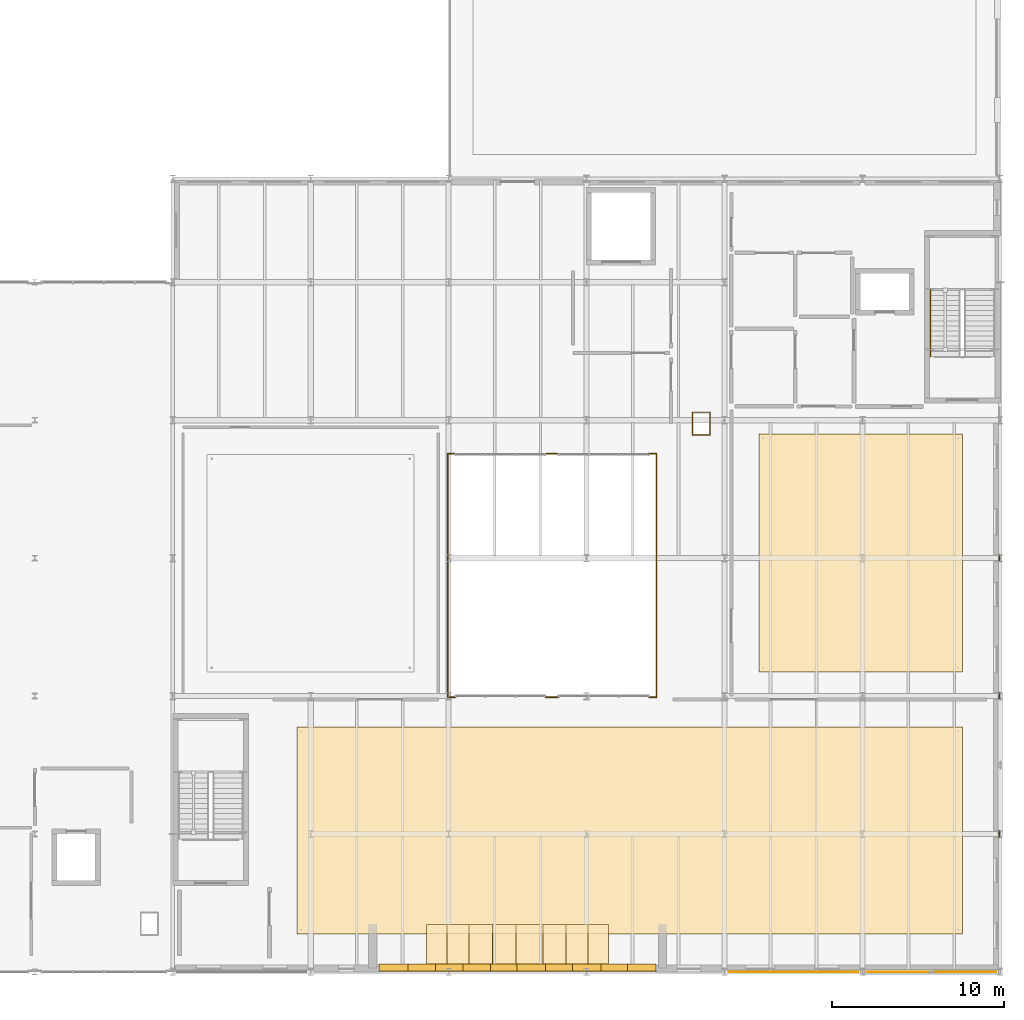
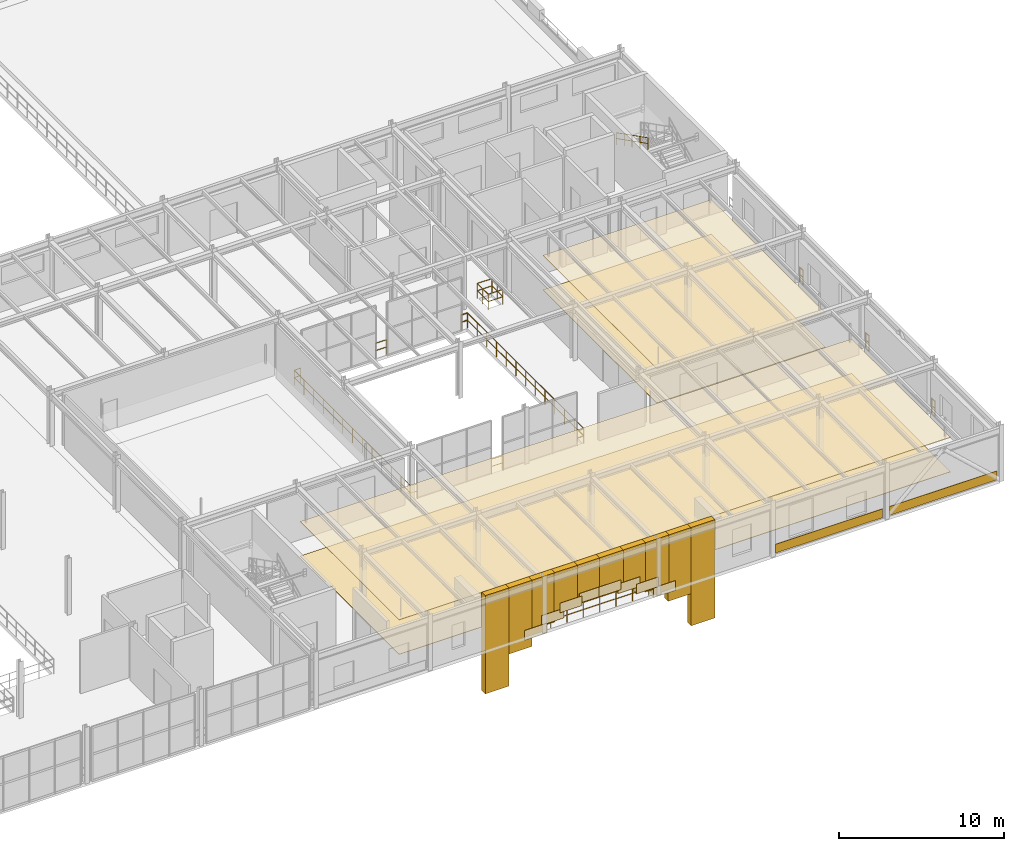
# One storey, part 65 of 67: 24 coverings, 11 railings.
"""IFC4 building model written with IfcOpenShell, lengths in metres."""

from ifc_helpers import new_model, si_unit, direction, frame, origin, origin_2d, place, context, subcontext, project, spatial, polyline, rectangle, circle, outline, extrude, material, layer, layer_set, type_object, element, save


model = new_model("IFC4")

# Units and contexts
model_context = context("Model", 3, precision=1e-05, world=origin(), true_north=direction((0.0, 1.0)))
body_context = subcontext(model_context, "Body", "Model", "MODEL_VIEW")
ifc_project = project(units=[si_unit("LENGTHUNIT", "METRE"), si_unit("AREAUNIT", "SQUARE_METRE"), si_unit("VOLUMEUNIT", "CUBIC_METRE"), si_unit("PLANEANGLEUNIT", "RADIAN"), si_unit("MASSUNIT", "GRAM", prefix="KILO")], contexts=[model_context])

# Site, building, storey
site_placement = place(None, origin())
site = spatial("IfcSite", under=ifc_project, at=site_placement, CompositionType="ELEMENT")
building_placement = place(site_placement, origin())
building = spatial("IfcBuilding", under=site, at=building_placement, Name="Sundkrona Museum", CompositionType="ELEMENT")
storey_placement = place(building_placement, frame((0.0, 0.0, 21.800048828125)))
storey = spatial("IfcBuildingStorey", under=building, at=storey_placement, Name="L04", CompositionType="ELEMENT", Elevation=21.800048828125)

# Coverings
ifc_material_1 = material(Name="Perforated Acoustic Gypsum and Mineral Wool Ceiling", Category="other")
ifc_layer_1 = layer(ifc_material_1, 0.0400390625)
ifc_layer_set_1 = layer_set([ifc_layer_1], Name="Perforated Acoustic Gypsum and Mineral Wool Ceiling")
covering_type_1 = type_object("IfcCoveringType", Name="COV-CEIL-AC", PredefinedType="CEILING", material=ifc_layer_set_1)
covering_1_placement = place(storey_placement, frame((0.0, 0.0, 2.550048828125)))
element("IfcCovering", 1, at=covering_1_placement, inside=storey, type_object=covering_type_1, Name="L04 Nordic Landscape Painting Gallery Acoustic Ceiling", PredefinedType="CEILING", context=body_context, shape_type="SweptSolid", body=[
    extrude(outline(polyline([(127.199951171875, 2.199951171875), (165.800048828125, 2.199951171875), (165.800048828125, 14.199951171875), (127.199951171875, 14.199951171875), (127.199951171875, 2.199951171875)])), origin(), (0.0, 0.0, 1.0), 0.039794921875),
])
covering_2_placement = place(storey_placement, frame((0.0, 0.0, 2.550048828125)))
element("IfcCovering", 2, at=covering_2_placement, inside=storey, type_object=covering_type_1, Name="L04 Contemporary Visual Arts Gallery Acoustic Ceiling", PredefinedType="CEILING", context=body_context, shape_type="SweptSolid", body=[
    extrude(outline(polyline([(154.0, 17.39990234375), (165.800048828125, 17.39990234375), (165.800048828125, 31.199951171875), (154.0, 31.199951171875), (154.0, 17.39990234375)])), origin(), (0.0, 0.0, 1.0), 0.039794921875),
])
ifc_material_2 = material(Name="Frost-Resistant Vitrified Stoneware Mosaic Cladding", Category="masonry")
ifc_layer_2 = layer(ifc_material_2, 0.044921875)
ifc_layer_set_2 = layer_set([ifc_layer_2], Name="Frost-Resistant Vitrified Stoneware Mosaic Cladding")
covering_type_2 = type_object("IfcCoveringType", Name="COV-CLD-MOS", PredefinedType="CLADDING", material=ifc_layer_set_2)
covering_3_placement = place(storey_placement, frame((132.800048828125, 0.239990234375, -3.251953125), z_axis=(0.0, 0.0, 1.0), x_axis=(1.0, 0.0, 0.0)))
element("IfcCovering", 3, at=covering_3_placement, inside=storey, type_object=covering_type_2, Name="South Cube Oculus Upper Limestone Spandrel 01", PredefinedType="CLADDING", context=body_context, shape_type="SweptSolid", body=[
    extrude(rectangle(XDim=1.659912109375, YDim=0.43994140625, at=origin_2d()), origin(), (0.0, 0.0, 1.0), 7.27197265625),
])
covering_4_placement = place(storey_placement, frame((134.39990234375, 0.239990234375, -0.87890625), z_axis=(0.0, 0.0, 1.0), x_axis=(1.0, 0.0, 0.0)))
element("IfcCovering", 4, at=covering_4_placement, inside=storey, type_object=covering_type_2, Name="South Cube Oculus Upper Limestone Spandrel 02", PredefinedType="CLADDING", context=body_context, shape_type="SweptSolid", body=[
    extrude(rectangle(XDim=1.659912109375, YDim=0.43994140625, at=origin_2d()), origin(), (0.0, 0.0, 1.0), 4.89892578125),
])
covering_5_placement = place(storey_placement, frame((136.0, 0.239990234375, 0.3740234375), z_axis=(0.0, 0.0, 1.0), x_axis=(1.0, 0.0, 0.0)))
element("IfcCovering", 5, at=covering_5_placement, inside=storey, type_object=covering_type_2, Name="South Cube Oculus Upper Limestone Spandrel 03", PredefinedType="CLADDING", context=body_context, shape_type="SweptSolid", body=[
    extrude(rectangle(XDim=1.659912109375, YDim=0.43994140625, at=origin_2d()), origin(), (0.0, 0.0, 1.0), 3.64599609375),
])
covering_6_placement = place(storey_placement, frame((137.60009765625, 0.239990234375, 1.09375), z_axis=(0.0, 0.0, 1.0), x_axis=(1.0, 0.0, 0.0)))
element("IfcCovering", 6, at=covering_6_placement, inside=storey, type_object=covering_type_2, Name="South Cube Oculus Upper Limestone Spandrel 04", PredefinedType="CLADDING", context=body_context, shape_type="SweptSolid", body=[
    extrude(rectangle(XDim=1.659912109375, YDim=0.43994140625, at=origin_2d()), origin(), (0.0, 0.0, 1.0), 2.926025390625),
])
for number, where, z_axis, x_axis, name in (
    (7, (139.199951171875, 0.239990234375, 1.4287109375), (0.0, 0.0, 1.0), (1.0, 0.0, 0.0), "South Cube Oculus Upper Limestone Spandrel 05"),
    (8, (140.800048828125, 0.239990234375, 1.4287109375), (0.0, 0.0, 1.0), (1.0, 0.0, 0.0), "South Cube Oculus Upper Limestone Spandrel 06"),
):
    element("IfcCovering", number, at=place(storey_placement, frame(where, z_axis=z_axis, x_axis=x_axis)), inside=storey, type_object=covering_type_2, Name=name, PredefinedType="CLADDING", context=body_context, shape_type="SweptSolid", body=[
        extrude(rectangle(XDim=1.659912109375, YDim=0.43994140625, at=origin_2d()), origin(), (0.0, 0.0, 1.0), 2.591064453125),
    ])
covering_7_placement = place(storey_placement, frame((142.39990234375, 0.239990234375, 1.09375), z_axis=(0.0, 0.0, 1.0), x_axis=(1.0, 0.0, 0.0)))
element("IfcCovering", 9, at=covering_7_placement, inside=storey, type_object=covering_type_2, Name="South Cube Oculus Upper Limestone Spandrel 07", PredefinedType="CLADDING", context=body_context, shape_type="SweptSolid", body=[
    extrude(rectangle(XDim=1.659912109375, YDim=0.43994140625, at=origin_2d()), origin(), (0.0, 0.0, 1.0), 2.926025390625),
])
covering_8_placement = place(storey_placement, frame((144.0, 0.239990234375, 0.3740234375), z_axis=(0.0, 0.0, 1.0), x_axis=(1.0, 0.0, 0.0)))
element("IfcCovering", 10, at=covering_8_placement, inside=storey, type_object=covering_type_2, Name="South Cube Oculus Upper Limestone Spandrel 08", PredefinedType="CLADDING", context=body_context, shape_type="SweptSolid", body=[
    extrude(rectangle(XDim=1.659912109375, YDim=0.43994140625, at=origin_2d()), origin(), (0.0, 0.0, 1.0), 3.64599609375),
])
covering_9_placement = place(storey_placement, frame((145.60009765625, 0.239990234375, -0.87890625), z_axis=(0.0, 0.0, 1.0), x_axis=(1.0, 0.0, 0.0)))
element("IfcCovering", 11, at=covering_9_placement, inside=storey, type_object=covering_type_2, Name="South Cube Oculus Upper Limestone Spandrel 09", PredefinedType="CLADDING", context=body_context, shape_type="SweptSolid", body=[
    extrude(rectangle(XDim=1.659912109375, YDim=0.43994140625, at=origin_2d()), origin(), (0.0, 0.0, 1.0), 4.89892578125),
])
covering_10_placement = place(storey_placement, frame((147.199951171875, 0.239990234375, -3.251953125), z_axis=(0.0, 0.0, 1.0), x_axis=(1.0, 0.0, 0.0)))
element("IfcCovering", 12, at=covering_10_placement, inside=storey, type_object=covering_type_2, Name="South Cube Oculus Upper Limestone Spandrel 10", PredefinedType="CLADDING", context=body_context, shape_type="SweptSolid", body=[
    extrude(rectangle(XDim=1.659912109375, YDim=0.43994140625, at=origin_2d()), origin(), (0.0, 0.0, 1.0), 7.27197265625),
])
for number, where, z_axis, x_axis, name in (
    (13, (144.502685546875, 1.3798828125, -0.2294921875), (0.0, 0.0, 1.0), (1.0, 0.0, 0.0), "L04 Giant Round Window Deep Circular Reveal Barrel 06"),
    (14, (143.317626953125, 1.3798828125, 0.45458984375), (0.0, 0.0, 1.0), (1.0, 0.0, 0.0), "L04 Giant Round Window Deep Circular Reveal Barrel 07"),
    (15, (142.03173828125, 1.3798828125, 0.92236328125), (0.0, 0.0, 1.0), (1.0, 0.0, 0.0), "L04 Giant Round Window Deep Circular Reveal Barrel 08"),
    (16, (140.68408203125, 1.3798828125, 1.16015625), (0.0, 0.0, 1.0), (1.0, 0.0, 0.0), "L04 Giant Round Window Deep Circular Reveal Barrel 09"),
    (17, (139.31591796875, 1.3798828125, 1.16015625), (0.0, 0.0, 1.0), (1.0, 0.0, 0.0), "L04 Giant Round Window Deep Circular Reveal Barrel 10"),
    (18, (137.96826171875, 1.3798828125, 0.92236328125), (0.0, 0.0, 1.0), (1.0, 0.0, 0.0), "L04 Giant Round Window Deep Circular Reveal Barrel 11"),
    (19, (136.682373046875, 1.3798828125, 0.45458984375), (0.0, 0.0, 1.0), (1.0, 0.0, 0.0), "L04 Giant Round Window Deep Circular Reveal Barrel 12"),
    (20, (135.497314453125, 1.3798828125, -0.2294921875), (0.0, 0.0, 1.0), (1.0, 0.0, 0.0), "L04 Giant Round Window Deep Circular Reveal Barrel 13"),
):
    element("IfcCovering", number, at=place(storey_placement, frame(where, z_axis=z_axis, x_axis=x_axis)), inside=storey, type_object=covering_type_2, Name=name, PredefinedType="CLADDING", context=body_context, shape_type="SweptSolid", body=[
        extrude(rectangle(XDim=1.550048828125, YDim=2.739990234375, at=origin_2d()), origin(), (0.0, 0.0, 1.0), 0.719970703125),
    ])
for number, where, z_axis, x_axis, name in (
    (21, (156.0, 0.0, 0.094970703125), (0.0, 0.0, 1.0), (1.0, 0.0, 0.0), "L04 Vitrified Stoneware Mosaic Spandrel 019"),
    (22, (164.0, 0.0, 0.094970703125), (0.0, 0.0, 1.0), (1.0, 0.0, 0.0), "L04 Vitrified Stoneware Mosaic Spandrel 020"),
):
    element("IfcCovering", number, at=place(storey_placement, frame(where, z_axis=z_axis, x_axis=x_axis)), inside=storey, type_object=covering_type_2, Name=name, PredefinedType="CLADDING", context=body_context, shape_type="SweptSolid", body=[
        extrude(rectangle(XDim=7.49609375, YDim=0.044921875, at=origin_2d()), origin(), (0.0, 0.0, 1.0), 0.64990234375),
    ])
ifc_material_3 = material(Name="Polished Scanian Limestone Terrazzo Flooring", Category="masonry")
ifc_layer_3 = layer(ifc_material_3, 0.034912109375)
ifc_layer_set_3 = layer_set([ifc_layer_3], Name="Polished Scanian Limestone Terrazzo Flooring")
covering_type_3 = type_object("IfcCoveringType", Name="COV-FLR-TZ", PredefinedType="FLOORING", material=ifc_layer_set_3)
covering_11_placement = place(storey_placement, origin())
element("IfcCovering", 23, at=covering_11_placement, inside=storey, type_object=covering_type_3, Name="L04 Nordic Landscape Painting Gallery Terrazzo Flooring", PredefinedType="FLOORING", context=body_context, shape_type="SweptSolid", body=[
    extrude(outline(polyline([(127.199951171875, 2.199951171875), (165.800048828125, 2.199951171875), (165.800048828125, 14.199951171875), (127.199951171875, 14.199951171875), (127.199951171875, 2.199951171875)])), origin(), (0.0, 0.0, 1.0), 0.034912109375),
])
covering_12_placement = place(storey_placement, origin())
element("IfcCovering", 24, at=covering_12_placement, inside=storey, type_object=covering_type_3, Name="L04 Contemporary Visual Arts Gallery Terrazzo Flooring", PredefinedType="FLOORING", context=body_context, shape_type="SweptSolid", body=[
    extrude(outline(polyline([(154.0, 17.39990234375), (165.800048828125, 17.39990234375), (165.800048828125, 31.199951171875), (154.0, 31.199951171875), (154.0, 17.39990234375)])), origin(), (0.0, 0.0, 1.0), 0.034912109375),
])

# Railings
ifc_material_4 = material(Name="Painted Steel S355J2 and Laminated Glass Balustrade", Category="steel")
railing_type_1 = type_object("IfcRailingType", Name="RL-GUARD-1100", PredefinedType="BALUSTRADE", material=ifc_material_4)
railing_1_placement = place(storey_placement, frame((148.010009765625, 0.06005859375, 0.0)))
element("IfcRailing", 25, at=railing_1_placement, inside=storey, type_object=railing_type_1, Name="L04 Edge Protection Balustrade 026", PredefinedType="BALUSTRADE", context=body_context, shape_type="SweptSolid", body=[
    extrude(circle(Radius=0.02392578125, at=origin_2d()), frame((0.0, 0.0, 1.09619140625), z_axis=(-1.0, 0.0, 0.0), x_axis=(0.0, -1.0, 0.0)), (0.0, 0.0, 1.0), 16.02001953125),
    extrude(circle(Radius=0.02392578125, at=origin_2d()), frame((0.0, 0.0, 0.56005859375), z_axis=(-1.0, 0.0, 0.0), x_axis=(0.0, -1.0, 0.0)), (0.0, 0.0, 1.0), 16.02001953125),
    extrude(circle(Radius=0.02099609375, at=origin_2d()), origin(), (0.0, 0.0, 1.0), 1.072021484375),
    extrude(circle(Radius=0.02099609375, at=origin_2d()), frame((-1.144287109375, 0.0, 0.0)), (0.0, 0.0, 1.0), 1.072021484375),
    extrude(circle(Radius=0.02099609375, at=origin_2d()), frame((-2.28857421875, 0.0, 0.0)), (0.0, 0.0, 1.0), 1.072021484375),
    extrude(circle(Radius=0.02099609375, at=origin_2d()), frame((-3.432861328125, 0.0, 0.0)), (0.0, 0.0, 1.0), 1.072021484375),
    extrude(circle(Radius=0.02099609375, at=origin_2d()), frame((-4.5771484375, 0.0, 0.0)), (0.0, 0.0, 1.0), 1.072021484375),
    extrude(circle(Radius=0.02099609375, at=origin_2d()), frame((-5.721435546875, 0.0, 0.0)), (0.0, 0.0, 1.0), 1.072021484375),
    extrude(circle(Radius=0.02099609375, at=origin_2d()), frame((-6.86572265625, 0.0, 0.0)), (0.0, 0.0, 1.0), 1.072021484375),
    extrude(circle(Radius=0.02099609375, at=origin_2d()), frame((-8.010009765625, 0.0, 0.0)), (0.0, 0.0, 1.0), 1.072021484375),
    extrude(circle(Radius=0.02099609375, at=origin_2d()), frame((-9.154296875, 0.0, 0.0)), (0.0, 0.0, 1.0), 1.072021484375),
    extrude(circle(Radius=0.02099609375, at=origin_2d()), frame((-10.298583984375, 0.0, 0.0)), (0.0, 0.0, 1.0), 1.072021484375),
    extrude(circle(Radius=0.02099609375, at=origin_2d()), frame((-11.44287109375, 0.0, 0.0)), (0.0, 0.0, 1.0), 1.072021484375),
    extrude(circle(Radius=0.02099609375, at=origin_2d()), frame((-12.587158203125, 0.0, 0.0)), (0.0, 0.0, 1.0), 1.072021484375),
    extrude(circle(Radius=0.02099609375, at=origin_2d()), frame((-13.7314453125, 0.0, 0.0)), (0.0, 0.0, 1.0), 1.072021484375),
    extrude(circle(Radius=0.02099609375, at=origin_2d()), frame((-14.875732421875, 0.0, 0.0)), (0.0, 0.0, 1.0), 1.072021484375),
    extrude(circle(Radius=0.02099609375, at=origin_2d()), frame((-16.02001953125, 0.0, 0.0)), (0.0, 0.0, 1.0), 1.072021484375),
])
railing_2_placement = place(storey_placement, frame((136.39990234375, 30.06005859375, 0.0)))
element("IfcRailing", 26, at=railing_2_placement, inside=storey, type_object=railing_type_1, Name="L04 Edge Protection Balustrade 028", PredefinedType="BALUSTRADE", context=body_context, shape_type="SweptSolid", body=[
    extrude(circle(Radius=0.02392578125, at=origin_2d()), frame((0.0, 0.0, 1.09619140625), z_axis=(-1.0, 0.0, 0.0), x_axis=(0.0, -1.0, 0.0)), (0.0, 0.0, 1.0), 0.4599609375),
    extrude(circle(Radius=0.02392578125, at=origin_2d()), frame((0.0, 0.0, 0.56005859375), z_axis=(-1.0, 0.0, 0.0), x_axis=(0.0, -1.0, 0.0)), (0.0, 0.0, 1.0), 0.4599609375),
    extrude(circle(Radius=0.02392578125, at=origin_2d()), frame((-0.4599609375, 0.0, 1.09619140625), z_axis=(0.0, -1.0, 0.0), x_axis=(1.0, 0.0, 0.0)), (0.0, 0.0, 1.0), 14.1201171875),
    extrude(circle(Radius=0.02392578125, at=origin_2d()), frame((-0.4599609375, 0.0, 0.56005859375), z_axis=(0.0, -1.0, 0.0), x_axis=(1.0, 0.0, 0.0)), (0.0, 0.0, 1.0), 14.1201171875),
    extrude(circle(Radius=0.02392578125, at=origin_2d()), frame((-0.4599609375, -14.1201171875, 1.09619140625), z_axis=(1.0, 0.0, 0.0), x_axis=(0.0, 1.0, 0.0)), (0.0, 0.0, 1.0), 0.4599609375),
    extrude(circle(Radius=0.02392578125, at=origin_2d()), frame((-0.4599609375, -14.1201171875, 0.56005859375), z_axis=(1.0, 0.0, 0.0), x_axis=(0.0, 1.0, 0.0)), (0.0, 0.0, 1.0), 0.4599609375),
    extrude(circle(Radius=0.02099609375, at=origin_2d()), origin(), (0.0, 0.0, 1.0), 1.072021484375),
    extrude(circle(Radius=0.02099609375, at=origin_2d()), frame((-0.4599609375, 0.0, 0.0)), (0.0, 0.0, 1.0), 1.072021484375),
    extrude(circle(Radius=0.02099609375, at=origin_2d()), frame((-0.4599609375, -1.1767578125, 0.0)), (0.0, 0.0, 1.0), 1.072021484375),
    extrude(circle(Radius=0.02099609375, at=origin_2d()), frame((-0.4599609375, -2.353271484375, 0.0)), (0.0, 0.0, 1.0), 1.072021484375),
    extrude(circle(Radius=0.02099609375, at=origin_2d()), frame((-0.4599609375, -3.530029296875, 0.0)), (0.0, 0.0, 1.0), 1.072021484375),
    extrude(circle(Radius=0.02099609375, at=origin_2d()), frame((-0.4599609375, -4.706787109375, 0.0)), (0.0, 0.0, 1.0), 1.072021484375),
    extrude(circle(Radius=0.02099609375, at=origin_2d()), frame((-0.4599609375, -5.88330078125, 0.0)), (0.0, 0.0, 1.0), 1.072021484375),
    extrude(circle(Radius=0.02099609375, at=origin_2d()), frame((-0.4599609375, -7.06005859375, 0.0)), (0.0, 0.0, 1.0), 1.072021484375),
    extrude(circle(Radius=0.02099609375, at=origin_2d()), frame((-0.4599609375, -8.23681640625, 0.0)), (0.0, 0.0, 1.0), 1.072021484375),
    extrude(circle(Radius=0.02099609375, at=origin_2d()), frame((-0.4599609375, -9.413330078125, 0.0)), (0.0, 0.0, 1.0), 1.072021484375),
    extrude(circle(Radius=0.02099609375, at=origin_2d()), frame((-0.4599609375, -10.590087890625, 0.0)), (0.0, 0.0, 1.0), 1.072021484375),
    extrude(circle(Radius=0.02099609375, at=origin_2d()), frame((-0.4599609375, -11.766845703125, 0.0)), (0.0, 0.0, 1.0), 1.072021484375),
    extrude(circle(Radius=0.02099609375, at=origin_2d()), frame((-0.4599609375, -12.943359375, 0.0)), (0.0, 0.0, 1.0), 1.072021484375),
    extrude(circle(Radius=0.02099609375, at=origin_2d()), frame((-0.4599609375, -14.1201171875, 0.0)), (0.0, 0.0, 1.0), 1.072021484375),
    extrude(circle(Radius=0.02099609375, at=origin_2d()), frame((0.0, -14.1201171875, 0.0)), (0.0, 0.0, 1.0), 1.072021484375),
])
railing_3_placement = place(storey_placement, frame((141.60009765625, 15.93994140625, 0.0)))
element("IfcRailing", 27, at=railing_3_placement, inside=storey, type_object=railing_type_1, Name="L04 Edge Protection Balustrade 029", PredefinedType="BALUSTRADE", context=body_context, shape_type="SweptSolid", body=[
    extrude(circle(Radius=0.02392578125, at=origin_2d()), frame((0.0, 0.0, 1.09619140625), z_axis=(1.0, 0.0, 0.0), x_axis=(0.0, 1.0, 0.0)), (0.0, 0.0, 1.0), 0.7998046875),
    extrude(circle(Radius=0.02392578125, at=origin_2d()), frame((0.0, 0.0, 0.56005859375), z_axis=(1.0, 0.0, 0.0), x_axis=(0.0, 1.0, 0.0)), (0.0, 0.0, 1.0), 0.7998046875),
    extrude(circle(Radius=0.02099609375, at=origin_2d()), origin(), (0.0, 0.0, 1.0), 1.072021484375),
    extrude(circle(Radius=0.02099609375, at=origin_2d()), frame((0.7998046875, 0.0, 0.0)), (0.0, 0.0, 1.0), 1.072021484375),
])
railing_4_placement = place(storey_placement, frame((142.39990234375, 30.06005859375, 0.0)))
element("IfcRailing", 28, at=railing_4_placement, inside=storey, type_object=railing_type_1, Name="L04 Edge Protection Balustrade 030", PredefinedType="BALUSTRADE", context=body_context, shape_type="SweptSolid", body=[
    extrude(circle(Radius=0.02392578125, at=origin_2d()), frame((0.0, 0.0, 1.09619140625), z_axis=(-1.0, 0.0, 0.0), x_axis=(0.0, -1.0, 0.0)), (0.0, 0.0, 1.0), 0.7998046875),
    extrude(circle(Radius=0.02392578125, at=origin_2d()), frame((0.0, 0.0, 0.56005859375), z_axis=(-1.0, 0.0, 0.0), x_axis=(0.0, -1.0, 0.0)), (0.0, 0.0, 1.0), 0.7998046875),
    extrude(circle(Radius=0.02099609375, at=origin_2d()), origin(), (0.0, 0.0, 1.0), 1.072021484375),
    extrude(circle(Radius=0.02099609375, at=origin_2d()), frame((-0.7998046875, 0.0, 0.0)), (0.0, 0.0, 1.0), 1.072021484375),
])
railing_5_placement = place(storey_placement, frame((147.60009765625, 15.93994140625, 0.0)))
element("IfcRailing", 29, at=railing_5_placement, inside=storey, type_object=railing_type_1, Name="L04 Edge Protection Balustrade 031", PredefinedType="BALUSTRADE", context=body_context, shape_type="SweptSolid", body=[
    extrude(circle(Radius=0.02392578125, at=origin_2d()), frame((0.0, 0.0, 1.09619140625), z_axis=(1.0, 0.0, 0.0), x_axis=(0.0, 1.0, 0.0)), (0.0, 0.0, 1.0), 0.4599609375),
    extrude(circle(Radius=0.02392578125, at=origin_2d()), frame((0.0, 0.0, 0.56005859375), z_axis=(1.0, 0.0, 0.0), x_axis=(0.0, 1.0, 0.0)), (0.0, 0.0, 1.0), 0.4599609375),
    extrude(circle(Radius=0.02392578125, at=origin_2d()), frame((0.4599609375, 0.0, 1.09619140625), z_axis=(0.0, 1.0, 0.0), x_axis=(-1.0, 0.0, 0.0)), (0.0, 0.0, 1.0), 14.1201171875),
    extrude(circle(Radius=0.02392578125, at=origin_2d()), frame((0.4599609375, 0.0, 0.56005859375), z_axis=(0.0, 1.0, 0.0), x_axis=(-1.0, 0.0, 0.0)), (0.0, 0.0, 1.0), 14.1201171875),
    extrude(circle(Radius=0.02099609375, at=origin_2d()), origin(), (0.0, 0.0, 1.0), 1.072021484375),
    extrude(circle(Radius=0.02099609375, at=origin_2d()), frame((0.4599609375, 0.0, 0.0)), (0.0, 0.0, 1.0), 1.072021484375),
    extrude(circle(Radius=0.02099609375, at=origin_2d()), frame((0.4599609375, 1.1767578125, 0.0)), (0.0, 0.0, 1.0), 1.072021484375),
    extrude(circle(Radius=0.02099609375, at=origin_2d()), frame((0.4599609375, 2.353271484375, 0.0)), (0.0, 0.0, 1.0), 1.072021484375),
    extrude(circle(Radius=0.02099609375, at=origin_2d()), frame((0.4599609375, 3.530029296875, 0.0)), (0.0, 0.0, 1.0), 1.072021484375),
    extrude(circle(Radius=0.02099609375, at=origin_2d()), frame((0.4599609375, 4.706787109375, 0.0)), (0.0, 0.0, 1.0), 1.072021484375),
    extrude(circle(Radius=0.02099609375, at=origin_2d()), frame((0.4599609375, 5.88330078125, 0.0)), (0.0, 0.0, 1.0), 1.072021484375),
    extrude(circle(Radius=0.02099609375, at=origin_2d()), frame((0.4599609375, 7.06005859375, 0.0)), (0.0, 0.0, 1.0), 1.072021484375),
    extrude(circle(Radius=0.02099609375, at=origin_2d()), frame((0.4599609375, 8.23681640625, 0.0)), (0.0, 0.0, 1.0), 1.072021484375),
    extrude(circle(Radius=0.02099609375, at=origin_2d()), frame((0.4599609375, 9.413330078125, 0.0)), (0.0, 0.0, 1.0), 1.072021484375),
    extrude(circle(Radius=0.02099609375, at=origin_2d()), frame((0.4599609375, 10.590087890625, 0.0)), (0.0, 0.0, 1.0), 1.072021484375),
    extrude(circle(Radius=0.02099609375, at=origin_2d()), frame((0.4599609375, 11.766845703125, 0.0)), (0.0, 0.0, 1.0), 1.072021484375),
    extrude(circle(Radius=0.02099609375, at=origin_2d()), frame((0.4599609375, 12.943359375, 0.0)), (0.0, 0.0, 1.0), 1.072021484375),
    extrude(circle(Radius=0.02099609375, at=origin_2d()), frame((0.4599609375, 14.1201171875, 0.0)), (0.0, 0.0, 1.0), 1.072021484375),
])
railing_6_placement = place(storey_placement, frame((148.06005859375, 30.06005859375, 0.0)))
element("IfcRailing", 30, at=railing_6_placement, inside=storey, type_object=railing_type_1, Name="L04 Edge Protection Balustrade 032", PredefinedType="BALUSTRADE", context=body_context, shape_type="SweptSolid", body=[
    extrude(circle(Radius=0.02392578125, at=origin_2d()), frame((0.0, 0.0, 1.09619140625), z_axis=(-1.0, 0.0, 0.0), x_axis=(0.0, -1.0, 0.0)), (0.0, 0.0, 1.0), 0.4599609375),
    extrude(circle(Radius=0.02392578125, at=origin_2d()), frame((0.0, 0.0, 0.56005859375), z_axis=(-1.0, 0.0, 0.0), x_axis=(0.0, -1.0, 0.0)), (0.0, 0.0, 1.0), 0.4599609375),
    extrude(circle(Radius=0.02099609375, at=origin_2d()), origin(), (0.0, 0.0, 1.0), 1.072021484375),
    extrude(circle(Radius=0.02099609375, at=origin_2d()), frame((-0.4599609375, 0.0, 0.0)), (0.0, 0.0, 1.0), 1.072021484375),
])
railing_7_placement = place(storey_placement, frame((151.159912109375, 32.4599609375, 0.0)))
element("IfcRailing", 31, at=railing_7_placement, inside=storey, type_object=railing_type_1, Name="L04 Edge Protection Balustrade 033", PredefinedType="BALUSTRADE", context=body_context, shape_type="SweptSolid", body=[
    extrude(circle(Radius=0.02392578125, at=origin_2d()), frame((0.0, 0.0, 1.09619140625), z_axis=(-1.0, 0.0, 0.0), x_axis=(0.0, -1.0, 0.0)), (0.0, 0.0, 1.0), 1.02001953125),
    extrude(circle(Radius=0.02392578125, at=origin_2d()), frame((0.0, 0.0, 0.56005859375), z_axis=(-1.0, 0.0, 0.0), x_axis=(0.0, -1.0, 0.0)), (0.0, 0.0, 1.0), 1.02001953125),
    extrude(circle(Radius=0.02392578125, at=origin_2d()), frame((-1.02001953125, 0.0, 1.09619140625), z_axis=(0.0, -1.0, 0.0), x_axis=(1.0, 0.0, 0.0)), (0.0, 0.0, 1.0), 1.320068359375),
    extrude(circle(Radius=0.02392578125, at=origin_2d()), frame((-1.02001953125, 0.0, 0.56005859375), z_axis=(0.0, -1.0, 0.0), x_axis=(1.0, 0.0, 0.0)), (0.0, 0.0, 1.0), 1.320068359375),
    extrude(circle(Radius=0.02392578125, at=origin_2d()), frame((-1.02001953125, -1.320068359375, 1.09619140625), z_axis=(1.0, 0.0, 0.0), x_axis=(0.0, 1.0, 0.0)), (0.0, 0.0, 1.0), 1.02001953125),
    extrude(circle(Radius=0.02392578125, at=origin_2d()), frame((-1.02001953125, -1.320068359375, 0.56005859375), z_axis=(1.0, 0.0, 0.0), x_axis=(0.0, 1.0, 0.0)), (0.0, 0.0, 1.0), 1.02001953125),
    extrude(circle(Radius=0.02392578125, at=origin_2d()), frame((0.0, -1.320068359375, 1.09619140625), z_axis=(0.0, 1.0, 0.0), x_axis=(-1.0, 0.0, 0.0)), (0.0, 0.0, 1.0), 1.320068359375),
    extrude(circle(Radius=0.02392578125, at=origin_2d()), frame((0.0, -1.320068359375, 0.56005859375), z_axis=(0.0, 1.0, 0.0), x_axis=(-1.0, 0.0, 0.0)), (0.0, 0.0, 1.0), 1.320068359375),
    extrude(circle(Radius=0.02099609375, at=origin_2d()), origin(), (0.0, 0.0, 1.0), 1.072021484375),
    extrude(circle(Radius=0.02099609375, at=origin_2d()), frame((-1.02001953125, 0.0, 0.0)), (0.0, 0.0, 1.0), 1.072021484375),
    extrude(circle(Radius=0.02099609375, at=origin_2d()), frame((-1.02001953125, -0.66015625, 0.0)), (0.0, 0.0, 1.0), 1.072021484375),
    extrude(circle(Radius=0.02099609375, at=origin_2d()), frame((-1.02001953125, -1.320068359375, 0.0)), (0.0, 0.0, 1.0), 1.072021484375),
    extrude(circle(Radius=0.02099609375, at=origin_2d()), frame((0.0, -1.320068359375, 0.0)), (0.0, 0.0, 1.0), 1.072021484375),
    extrude(circle(Radius=0.02099609375, at=origin_2d()), frame((0.0, -0.66015625, 0.0)), (0.0, 0.0, 1.0), 1.072021484375),
])
for number, where, name in (
    (32, (167.93994140625, 8.201904296875, 0.0), "L04 Edge Protection Balustrade 036"),
    (33, (167.93994140625, 16.201904296875, 0.0), "L04 Edge Protection Balustrade 037"),
    (34, (167.93994140625, 24.201904296875, 0.0), "L04 Edge Protection Balustrade 038"),
):
    element("IfcRailing", number, at=place(storey_placement, frame(where)), inside=storey, type_object=railing_type_1, Name=name, PredefinedType="BALUSTRADE", context=body_context, shape_type="SweptSolid", body=[
        extrude(circle(Radius=0.02392578125, at=origin_2d()), frame((0.0, 0.0, 1.09619140625), z_axis=(0.0, -1.0, 0.0), x_axis=(1.0, 0.0, 0.0)), (0.0, 0.0, 1.0), 0.40380859375),
        extrude(circle(Radius=0.02392578125, at=origin_2d()), frame((0.0, 0.0, 0.56005859375), z_axis=(0.0, -1.0, 0.0), x_axis=(1.0, 0.0, 0.0)), (0.0, 0.0, 1.0), 0.40380859375),
        extrude(circle(Radius=0.02099609375, at=origin_2d()), origin(), (0.0, 0.0, 1.0), 1.072021484375),
        extrude(circle(Radius=0.02099609375, at=origin_2d()), frame((0.0, -0.40380859375, 0.0)), (0.0, 0.0, 1.0), 1.072021484375),
    ])
ifc_material_5 = material(Name="Brushed Bronze-Clad Steel Handrail", Category="steel")
railing_type_2 = type_object("IfcRailingType", Name="RL-HAND-900", PredefinedType="HANDRAIL", material=ifc_material_5)
railing_8_placement = place(storey_placement, frame((163.949951171875, 39.534912109375, 2.25)))
element("IfcRailing", 35, at=railing_8_placement, inside=storey, type_object=railing_type_2, Name="L04 ST-1 stair handrail 2", PredefinedType="HANDRAIL", context=body_context, shape_type="SweptSolid", body=[
    extrude(circle(Radius=0.02392578125, at=origin_2d()), frame((0.0, 0.0, 0.8759765625), z_axis=(0.0, -0.891387850335, 0.453241326752), x_axis=(1.0, 0.0, 0.0)), (0.0, 0.0, 1.0), 4.30224609375),
    extrude(circle(Radius=0.02392578125, at=origin_2d()), frame((0.0, 0.0, 0.449951171875), z_axis=(0.0, -0.891387850335, 0.453241326752), x_axis=(1.0, 0.0, 0.0)), (0.0, 0.0, 1.0), 4.30224609375),
    extrude(circle(Radius=0.02099609375, at=origin_2d()), origin(), (0.0, 0.0, 1.0), 0.851806640625),
    extrude(circle(Radius=0.02099609375, at=origin_2d()), frame((0.0, -0.958740234375, 0.487548828125)), (0.0, 0.0, 1.0), 0.851806640625),
    extrude(circle(Radius=0.02099609375, at=origin_2d()), frame((0.0, -1.91748046875, 0.97509765625)), (0.0, 0.0, 1.0), 0.851806640625),
    extrude(circle(Radius=0.02099609375, at=origin_2d()), frame((0.0, -2.876220703125, 1.46240234375)), (0.0, 0.0, 1.0), 0.851806640625),
    extrude(circle(Radius=0.02099609375, at=origin_2d()), frame((0.0, -3.8349609375, 1.949951171875)), (0.0, 0.0, 1.0), 0.851806640625),
])

save(model, "model.ifc")
